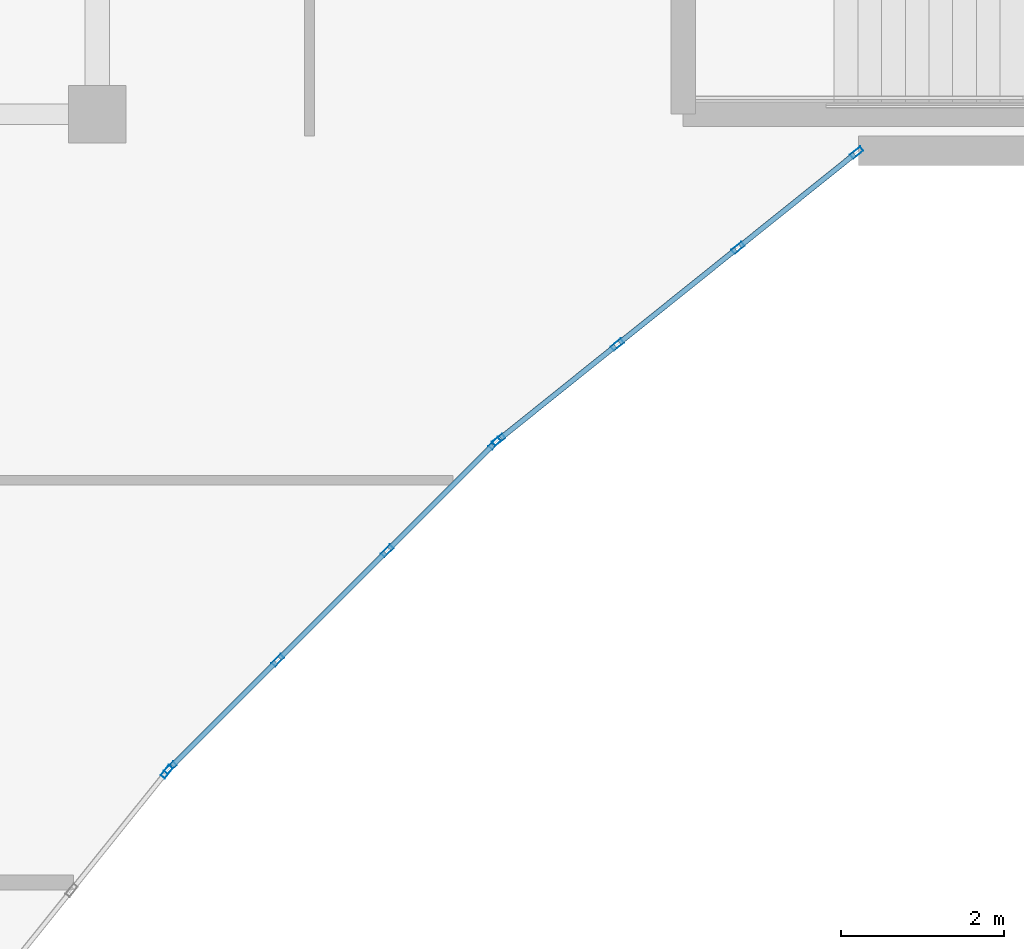
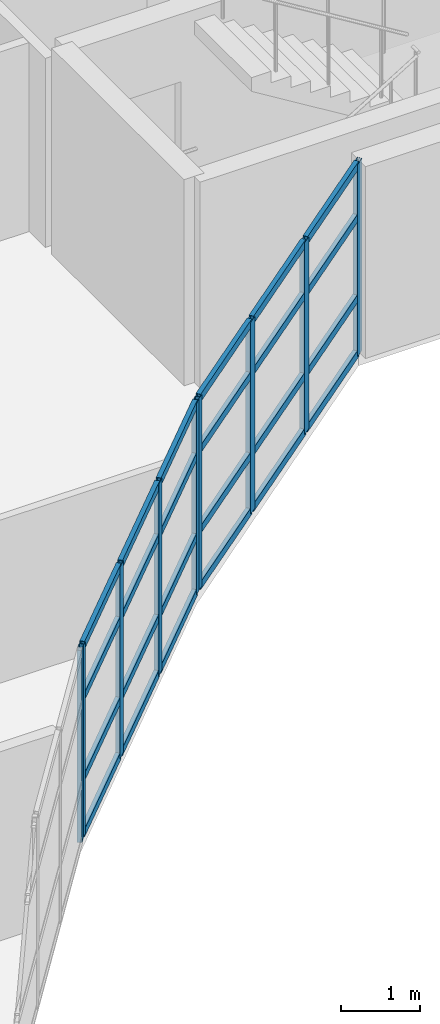
# One storey, part 56 of 128: 33 members, 3 elements without a shape of their own.
"""IFC4 building model written with IfcOpenShell, lengths in metres."""

from ifc_helpers import new_model, si_unit, direction, frame, origin, origin_2d, place, context, subcontext, project, spatial, hollow_rectangle, extrude, material, layer, layer_set, material_profile, profile_set, type_object, element, aggregate, save


model = new_model("IFC4")

# Units and contexts
model_context = context("Model", 3, precision=1e-05, world=origin(), true_north=direction((0.0, 1.0)))
body_context = subcontext(model_context, "Body", "Model", "MODEL_VIEW")
ifc_project = project(units=[si_unit("LENGTHUNIT", "METRE"), si_unit("AREAUNIT", "SQUARE_METRE"), si_unit("VOLUMEUNIT", "CUBIC_METRE"), si_unit("PLANEANGLEUNIT", "RADIAN"), si_unit("MASSUNIT", "GRAM", prefix="KILO")], contexts=[model_context])

# Site, building, storey
site_placement = place(None, origin())
site = spatial("IfcSite", under=ifc_project, at=site_placement, CompositionType="ELEMENT")
building_placement = place(site_placement, origin())
building = spatial("IfcBuilding", under=site, at=building_placement, Name="Keldmere Railside Commons", CompositionType="ELEMENT")
storey_placement = place(building_placement, frame((0.0, 0.0, 4.159912109375)))
storey = spatial("IfcBuildingStorey", under=building, at=storey_placement, Name="L01", CompositionType="ELEMENT", Elevation=4.159912109375)

# Curtain wall, member
ifc_material = material(Name="Thermally Broken Aluminium", Category="aluminium")
ifc_layer_1 = layer(ifc_material, 0.159912109375, Name="Court Chord Wintergarden CW 4800x2850")
ifc_layer_set_1 = layer_set([ifc_layer_1], Name="Thermally Broken Aluminium")
curtain_wall_type_1 = type_object("IfcCurtainWallType", Name="Court Chord Wintergarden CW 4800x2850", PredefinedType="NOTDEFINED", material=ifc_layer_set_1)
curtain_wall_1_placement = place(storey_placement, origin())
curtain_wall_1 = element("IfcCurtainWall", 1, at=curtain_wall_1_placement, inside=storey, type_object=curtain_wall_type_1, Name="CW-12 CW-L01-091", PredefinedType="NOTDEFINED")
ifc_material_profile_1 = material_profile(ifc_material, hollow_rectangle(XDim=0.06494140625, YDim=0.159912109375, WallThickness=0.00390625, at=origin_2d()), Name="ALU-MULL-65x160")
ifc_profile_set_1 = profile_set([ifc_material_profile_1], Name="Thermally Broken Aluminium")
member_type_1 = type_object("IfcMemberType", Name="Unitised Curtain Wall Mullion 65x160", PredefinedType="MULLION", material=ifc_profile_set_1)
member_1_placement = place(storey_placement, frame((123.53369140625, 92.404541015625, 0.0), z_axis=(0.0, 0.0, 1.0), x_axis=(0.780009172323, -0.625768080915, 0.0)))
member_1 = element("IfcMember", 2, at=member_1_placement, type_object=member_type_1, Name="CW-12 mullion 1", PredefinedType="MULLION", context=body_context, shape_type="SweptSolid", body=[
    extrude(hollow_rectangle(XDim=0.06494140625, YDim=0.159912109375, WallThickness=0.00390625, at=origin_2d()), origin(), (0.0, 0.0, 1.0), 2.97998046875),
])
aggregate(curtain_wall_1, [member_1])

# Curtain wall, members
ifc_layer_2 = layer(ifc_material, 0.159912109375, Name="Court Chord Wintergarden CW 5400x2850")
ifc_layer_set_2 = layer_set([ifc_layer_2], Name="Thermally Broken Aluminium")
curtain_wall_type_2 = type_object("IfcCurtainWallType", Name="Court Chord Wintergarden CW 5400x2850", PredefinedType="NOTDEFINED", material=ifc_layer_set_2)
curtain_wall_2_placement = place(storey_placement, origin())
curtain_wall_2 = element("IfcCurtainWall", 3, at=curtain_wall_2_placement, inside=storey, type_object=curtain_wall_type_2, Name="CW-13 CW-L01-092", PredefinedType="NOTDEFINED")
member_2_placement = place(storey_placement, frame((127.547119140625, 96.423095703125, 0.0), z_axis=(0.0, 0.0, 1.0), x_axis=(0.707106781187, -0.707106781187, 0.0)))
member_2 = element("IfcMember", 4, at=member_2_placement, type_object=member_type_1, Name="CW-13 mullion 1", PredefinedType="MULLION", context=body_context, shape_type="SweptSolid", body=[
    extrude(hollow_rectangle(XDim=0.06494140625, YDim=0.159912109375, WallThickness=0.00390625, at=origin_2d()), origin(), (0.0, 0.0, 1.0), 2.97998046875),
])
member_3_placement = place(storey_placement, frame((126.2314453125, 95.107421875, 0.0), z_axis=(0.0, 0.0, 1.0), x_axis=(0.707106781187, -0.707106781187, 0.0)))
member_3 = element("IfcMember", 5, at=member_3_placement, type_object=member_type_1, Name="CW-13 mullion 2", PredefinedType="MULLION", context=body_context, shape_type="SweptSolid", body=[
    extrude(hollow_rectangle(XDim=0.06494140625, YDim=0.159912109375, WallThickness=0.00390625, at=origin_2d()), origin(), (0.0, 0.0, 1.0), 2.97998046875),
])
member_4_placement = place(storey_placement, frame((124.892578125, 93.7685546875, 0.0), z_axis=(0.0, 0.0, 1.0), x_axis=(0.707106781187, -0.707106781187, 0.0)))
member_4 = element("IfcMember", 6, at=member_4_placement, type_object=member_type_1, Name="CW-13 mullion 3", PredefinedType="MULLION", context=body_context, shape_type="SweptSolid", body=[
    extrude(hollow_rectangle(XDim=0.06494140625, YDim=0.159912109375, WallThickness=0.00390625, at=origin_2d()), origin(), (0.0, 0.0, 1.0), 2.97998046875),
])
member_5_placement = place(storey_placement, frame((123.576904296875, 92.452880859375, 0.0), z_axis=(0.0, 0.0, 1.0), x_axis=(0.707106781187, -0.707106781187, 0.0)))
member_5 = element("IfcMember", 7, at=member_5_placement, type_object=member_type_1, Name="CW-13 mullion 4", PredefinedType="MULLION", context=body_context, shape_type="SweptSolid", body=[
    extrude(hollow_rectangle(XDim=0.06494140625, YDim=0.159912109375, WallThickness=0.00390625, at=origin_2d()), origin(), (0.0, 0.0, 1.0), 2.97998046875),
])

curtain_wall_3_placement = place(storey_placement, origin())
curtain_wall_3 = element("IfcCurtainWall", 8, at=curtain_wall_3_placement, inside=storey, type_object=curtain_wall_type_1, Name="CW-12 CW-L01-093", PredefinedType="NOTDEFINED")
member_6_placement = place(storey_placement, frame((131.974609375, 99.979736328125, 0.0), z_axis=(0.0, 0.0, 1.0), x_axis=(0.625768080915, -0.780009172323, 0.0)))
member_6 = element("IfcMember", 9, at=member_6_placement, type_object=member_type_1, Name="CW-12 mullion 1", PredefinedType="MULLION", context=body_context, shape_type="SweptSolid", body=[
    extrude(hollow_rectangle(XDim=0.06494140625, YDim=0.159912109375, WallThickness=0.00390625, at=origin_2d()), origin(), (0.0, 0.0, 1.0), 2.97998046875),
])
member_7_placement = place(storey_placement, frame((130.5234375, 98.8154296875, 0.0), z_axis=(0.0, 0.0, 1.0), x_axis=(0.625768080915, -0.780009172323, 0.0)))
member_7 = element("IfcMember", 10, at=member_7_placement, type_object=member_type_1, Name="CW-12 mullion 2", PredefinedType="MULLION", context=body_context, shape_type="SweptSolid", body=[
    extrude(hollow_rectangle(XDim=0.06494140625, YDim=0.159912109375, WallThickness=0.00390625, at=origin_2d()), origin(), (0.0, 0.0, 1.0), 2.97998046875),
])
member_8_placement = place(storey_placement, frame((129.046630859375, 97.630615234375, 0.0), z_axis=(0.0, 0.0, 1.0), x_axis=(0.625768080915, -0.780009172323, 0.0)))
member_8 = element("IfcMember", 11, at=member_8_placement, type_object=member_type_1, Name="CW-12 mullion 3", PredefinedType="MULLION", context=body_context, shape_type="SweptSolid", body=[
    extrude(hollow_rectangle(XDim=0.06494140625, YDim=0.159912109375, WallThickness=0.00390625, at=origin_2d()), origin(), (0.0, 0.0, 1.0), 2.97998046875),
])
member_9_placement = place(storey_placement, frame((127.595458984375, 96.46630859375, 0.0), z_axis=(0.0, 0.0, 1.0), x_axis=(0.625768080915, -0.780009172323, 0.0)))
member_9 = element("IfcMember", 12, at=member_9_placement, type_object=member_type_1, Name="CW-12 mullion 4", PredefinedType="MULLION", context=body_context, shape_type="SweptSolid", body=[
    extrude(hollow_rectangle(XDim=0.06494140625, YDim=0.159912109375, WallThickness=0.00390625, at=origin_2d()), origin(), (0.0, 0.0, 1.0), 2.97998046875),
])

# Member
ifc_material_profile_2 = material_profile(ifc_material, hollow_rectangle(XDim=0.06494140625, YDim=0.1201171875, WallThickness=0.00390625, at=origin_2d()), Name="ALU-TRAN-65x120")
ifc_profile_set_2 = profile_set([ifc_material_profile_2], Name="Thermally Broken Aluminium")
member_type_2 = type_object("IfcMemberType", Name="Unitised Curtain Wall Transom 65x120", PredefinedType="USERDEFINED", material=ifc_profile_set_2)
member_10_placement = place(storey_placement, frame((127.52392578125, 96.400146484375, 0.032470703125), z_axis=(-0.707038793419, -0.707174762418, 0.0), x_axis=(0.707174762418, -0.707038793419, 0.0)))
member_10 = element("IfcMember", 13, at=member_10_placement, type_object=member_type_2, Name="CW-13 transom 1.1", ObjectType="TRANSOM", PredefinedType="USERDEFINED", context=body_context, shape_type="SweptSolid", body=[
    extrude(hollow_rectangle(XDim=0.06494140625, YDim=0.1201171875, WallThickness=0.00390625, at=origin_2d()), origin(), (0.0, 0.0, 1.0), 1.795654296875),
])

member_11_placement = place(storey_placement, frame((127.52392578125, 96.400146484375, 0.900146484375), z_axis=(-0.707038793419, -0.707174762418, 0.0), x_axis=(0.707174762418, -0.707038793419, 0.0)))
member_11 = element("IfcMember", 14, at=member_11_placement, type_object=member_type_2, Name="CW-13 transom 1.2", ObjectType="TRANSOM", PredefinedType="USERDEFINED", context=body_context, shape_type="SweptSolid", body=[
    extrude(hollow_rectangle(XDim=0.06494140625, YDim=0.1201171875, WallThickness=0.00390625, at=origin_2d()), origin(), (0.0, 0.0, 1.0), 1.795654296875),
])

member_12_placement = place(storey_placement, frame((127.52392578125, 96.400146484375, 2.150146484375), z_axis=(-0.707038793419, -0.707174762418, 0.0), x_axis=(0.707174762418, -0.707038793419, 0.0)))
member_12 = element("IfcMember", 15, at=member_12_placement, type_object=member_type_2, Name="CW-13 transom 1.3", ObjectType="TRANSOM", PredefinedType="USERDEFINED", context=body_context, shape_type="SweptSolid", body=[
    extrude(hollow_rectangle(XDim=0.06494140625, YDim=0.1201171875, WallThickness=0.00390625, at=origin_2d()), origin(), (0.0, 0.0, 1.0), 1.795654296875),
])

member_13_placement = place(storey_placement, frame((127.52392578125, 96.400146484375, 2.947509765625), z_axis=(-0.707038793419, -0.707174762418, 0.0), x_axis=(0.707174762418, -0.707038793419, 0.0)))
member_13 = element("IfcMember", 16, at=member_13_placement, type_object=member_type_2, Name="CW-13 transom 1.4", ObjectType="TRANSOM", PredefinedType="USERDEFINED", context=body_context, shape_type="SweptSolid", body=[
    extrude(hollow_rectangle(XDim=0.06494140625, YDim=0.1201171875, WallThickness=0.00390625, at=origin_2d()), origin(), (0.0, 0.0, 1.0), 1.795654296875),
])

member_14_placement = place(storey_placement, frame((126.208251953125, 95.08447265625, 0.032470703125), z_axis=(-0.707106781187, -0.707106781187, 0.0), x_axis=(0.707106781187, -0.707106781187, 0.0)))
member_14 = element("IfcMember", 17, at=member_14_placement, type_object=member_type_2, Name="CW-13 transom 2.1", ObjectType="TRANSOM", PredefinedType="USERDEFINED", context=body_context, shape_type="SweptSolid", body=[
    extrude(hollow_rectangle(XDim=0.06494140625, YDim=0.1201171875, WallThickness=0.00390625, at=origin_2d()), origin(), (0.0, 0.0, 1.0), 1.828125),
])

member_15_placement = place(storey_placement, frame((126.208251953125, 95.08447265625, 0.900146484375), z_axis=(-0.707106781187, -0.707106781187, 0.0), x_axis=(0.707106781187, -0.707106781187, 0.0)))
member_15 = element("IfcMember", 18, at=member_15_placement, type_object=member_type_2, Name="CW-13 transom 2.2", ObjectType="TRANSOM", PredefinedType="USERDEFINED", context=body_context, shape_type="SweptSolid", body=[
    extrude(hollow_rectangle(XDim=0.06494140625, YDim=0.1201171875, WallThickness=0.00390625, at=origin_2d()), origin(), (0.0, 0.0, 1.0), 1.828125),
])

member_16_placement = place(storey_placement, frame((126.208251953125, 95.08447265625, 2.150146484375), z_axis=(-0.707106781187, -0.707106781187, 0.0), x_axis=(0.707106781187, -0.707106781187, 0.0)))
member_16 = element("IfcMember", 19, at=member_16_placement, type_object=member_type_2, Name="CW-13 transom 2.3", ObjectType="TRANSOM", PredefinedType="USERDEFINED", context=body_context, shape_type="SweptSolid", body=[
    extrude(hollow_rectangle(XDim=0.06494140625, YDim=0.1201171875, WallThickness=0.00390625, at=origin_2d()), origin(), (0.0, 0.0, 1.0), 1.828125),
])

member_17_placement = place(storey_placement, frame((126.208251953125, 95.08447265625, 2.947509765625), z_axis=(-0.707106781187, -0.707106781187, 0.0), x_axis=(0.707106781187, -0.707106781187, 0.0)))
member_17 = element("IfcMember", 20, at=member_17_placement, type_object=member_type_2, Name="CW-13 transom 2.4", ObjectType="TRANSOM", PredefinedType="USERDEFINED", context=body_context, shape_type="SweptSolid", body=[
    extrude(hollow_rectangle(XDim=0.06494140625, YDim=0.1201171875, WallThickness=0.00390625, at=origin_2d()), origin(), (0.0, 0.0, 1.0), 1.828125),
])

member_18_placement = place(storey_placement, frame((124.86962890625, 93.74560546875, 0.032470703125), z_axis=(-0.707174762418, -0.707038793419, 0.0), x_axis=(0.707038793419, -0.707174762418, 0.0)))
member_18 = element("IfcMember", 21, at=member_18_placement, type_object=member_type_2, Name="CW-13 transom 3.1", ObjectType="TRANSOM", PredefinedType="USERDEFINED", context=body_context, shape_type="SweptSolid", body=[
    extrude(hollow_rectangle(XDim=0.06494140625, YDim=0.1201171875, WallThickness=0.00390625, at=origin_2d()), origin(), (0.0, 0.0, 1.0), 1.795654296875),
])

member_19_placement = place(storey_placement, frame((124.86962890625, 93.74560546875, 0.900146484375), z_axis=(-0.707174762418, -0.707038793419, 0.0), x_axis=(0.707038793419, -0.707174762418, 0.0)))
member_19 = element("IfcMember", 22, at=member_19_placement, type_object=member_type_2, Name="CW-13 transom 3.2", ObjectType="TRANSOM", PredefinedType="USERDEFINED", context=body_context, shape_type="SweptSolid", body=[
    extrude(hollow_rectangle(XDim=0.06494140625, YDim=0.1201171875, WallThickness=0.00390625, at=origin_2d()), origin(), (0.0, 0.0, 1.0), 1.795654296875),
])

member_20_placement = place(storey_placement, frame((124.86962890625, 93.74560546875, 2.150146484375), z_axis=(-0.707174762418, -0.707038793419, 0.0), x_axis=(0.707038793419, -0.707174762418, 0.0)))
member_20 = element("IfcMember", 23, at=member_20_placement, type_object=member_type_2, Name="CW-13 transom 3.3", ObjectType="TRANSOM", PredefinedType="USERDEFINED", context=body_context, shape_type="SweptSolid", body=[
    extrude(hollow_rectangle(XDim=0.06494140625, YDim=0.1201171875, WallThickness=0.00390625, at=origin_2d()), origin(), (0.0, 0.0, 1.0), 1.795654296875),
])

member_21_placement = place(storey_placement, frame((124.86962890625, 93.74560546875, 2.947509765625), z_axis=(-0.707174762418, -0.707038793419, 0.0), x_axis=(0.707038793419, -0.707174762418, 0.0)))
member_21 = element("IfcMember", 24, at=member_21_placement, type_object=member_type_2, Name="CW-13 transom 3.4", ObjectType="TRANSOM", PredefinedType="USERDEFINED", context=body_context, shape_type="SweptSolid", body=[
    extrude(hollow_rectangle(XDim=0.06494140625, YDim=0.1201171875, WallThickness=0.00390625, at=origin_2d()), origin(), (0.0, 0.0, 1.0), 1.795654296875),
])

aggregate(curtain_wall_2, [member_2, member_3, member_4, member_5, member_10, member_11, member_12, member_13, member_14, member_15, member_16, member_17, member_18, member_19, member_20, member_21])

member_22_placement = place(storey_placement, frame((131.94921875, 99.959228515625, 0.032470703125), z_axis=(-0.780045694992, -0.625722553313, 0.0), x_axis=(0.625722553313, -0.780045694992, 0.0)))
member_22 = element("IfcMember", 25, at=member_22_placement, type_object=member_type_2, Name="CW-12 transom 1.1", ObjectType="TRANSOM", PredefinedType="USERDEFINED", context=body_context, shape_type="SweptSolid", body=[
    extrude(hollow_rectangle(XDim=0.06494140625, YDim=0.1201171875, WallThickness=0.00390625, at=origin_2d()), origin(), (0.0, 0.0, 1.0), 1.795654296875),
])

member_23_placement = place(storey_placement, frame((131.94921875, 99.959228515625, 0.900146484375), z_axis=(-0.780045694992, -0.625722553313, 0.0), x_axis=(0.625722553313, -0.780045694992, 0.0)))
member_23 = element("IfcMember", 26, at=member_23_placement, type_object=member_type_2, Name="CW-12 transom 1.2", ObjectType="TRANSOM", PredefinedType="USERDEFINED", context=body_context, shape_type="SweptSolid", body=[
    extrude(hollow_rectangle(XDim=0.06494140625, YDim=0.1201171875, WallThickness=0.00390625, at=origin_2d()), origin(), (0.0, 0.0, 1.0), 1.795654296875),
])

member_24_placement = place(storey_placement, frame((131.94921875, 99.959228515625, 2.150146484375), z_axis=(-0.780045694992, -0.625722553313, 0.0), x_axis=(0.625722553313, -0.780045694992, 0.0)))
member_24 = element("IfcMember", 27, at=member_24_placement, type_object=member_type_2, Name="CW-12 transom 1.3", ObjectType="TRANSOM", PredefinedType="USERDEFINED", context=body_context, shape_type="SweptSolid", body=[
    extrude(hollow_rectangle(XDim=0.06494140625, YDim=0.1201171875, WallThickness=0.00390625, at=origin_2d()), origin(), (0.0, 0.0, 1.0), 1.795654296875),
])

member_25_placement = place(storey_placement, frame((131.94921875, 99.959228515625, 2.947509765625), z_axis=(-0.780045694992, -0.625722553313, 0.0), x_axis=(0.625722553313, -0.780045694992, 0.0)))
member_25 = element("IfcMember", 28, at=member_25_placement, type_object=member_type_2, Name="CW-12 transom 1.4", ObjectType="TRANSOM", PredefinedType="USERDEFINED", context=body_context, shape_type="SweptSolid", body=[
    extrude(hollow_rectangle(XDim=0.06494140625, YDim=0.1201171875, WallThickness=0.00390625, at=origin_2d()), origin(), (0.0, 0.0, 1.0), 1.795654296875),
])

member_26_placement = place(storey_placement, frame((130.498046875, 98.794921875, 0.032470703125), z_axis=(-0.78007338409, -0.625688033635, 0.0), x_axis=(0.625688033635, -0.78007338409, 0.0)))
member_26 = element("IfcMember", 29, at=member_26_placement, type_object=member_type_2, Name="CW-12 transom 2.1", ObjectType="TRANSOM", PredefinedType="USERDEFINED", context=body_context, shape_type="SweptSolid", body=[
    extrude(hollow_rectangle(XDim=0.06494140625, YDim=0.1201171875, WallThickness=0.00390625, at=origin_2d()), origin(), (0.0, 0.0, 1.0), 1.828125),
])

member_27_placement = place(storey_placement, frame((130.498046875, 98.794921875, 0.900146484375), z_axis=(-0.78007338409, -0.625688033635, 0.0), x_axis=(0.625688033635, -0.78007338409, 0.0)))
member_27 = element("IfcMember", 30, at=member_27_placement, type_object=member_type_2, Name="CW-12 transom 2.2", ObjectType="TRANSOM", PredefinedType="USERDEFINED", context=body_context, shape_type="SweptSolid", body=[
    extrude(hollow_rectangle(XDim=0.06494140625, YDim=0.1201171875, WallThickness=0.00390625, at=origin_2d()), origin(), (0.0, 0.0, 1.0), 1.828125),
])

member_28_placement = place(storey_placement, frame((130.498046875, 98.794921875, 2.150146484375), z_axis=(-0.78007338409, -0.625688033635, 0.0), x_axis=(0.625688033635, -0.78007338409, 0.0)))
member_28 = element("IfcMember", 31, at=member_28_placement, type_object=member_type_2, Name="CW-12 transom 2.3", ObjectType="TRANSOM", PredefinedType="USERDEFINED", context=body_context, shape_type="SweptSolid", body=[
    extrude(hollow_rectangle(XDim=0.06494140625, YDim=0.1201171875, WallThickness=0.00390625, at=origin_2d()), origin(), (0.0, 0.0, 1.0), 1.828125),
])

member_29_placement = place(storey_placement, frame((130.498046875, 98.794921875, 2.947509765625), z_axis=(-0.78007338409, -0.625688033635, 0.0), x_axis=(0.625688033635, -0.78007338409, 0.0)))
member_29 = element("IfcMember", 32, at=member_29_placement, type_object=member_type_2, Name="CW-12 transom 2.4", ObjectType="TRANSOM", PredefinedType="USERDEFINED", context=body_context, shape_type="SweptSolid", body=[
    extrude(hollow_rectangle(XDim=0.06494140625, YDim=0.1201171875, WallThickness=0.00390625, at=origin_2d()), origin(), (0.0, 0.0, 1.0), 1.828125),
])

member_30_placement = place(storey_placement, frame((129.021240234375, 97.6103515625, 0.032470703125), z_axis=(-0.779979331565, -0.625805275091, 0.0), x_axis=(0.625805275091, -0.779979331565, 0.0)))
member_30 = element("IfcMember", 33, at=member_30_placement, type_object=member_type_2, Name="CW-12 transom 3.1", ObjectType="TRANSOM", PredefinedType="USERDEFINED", context=body_context, shape_type="SweptSolid", body=[
    extrude(hollow_rectangle(XDim=0.06494140625, YDim=0.1201171875, WallThickness=0.00390625, at=origin_2d()), origin(), (0.0, 0.0, 1.0), 1.795654296875),
])

member_31_placement = place(storey_placement, frame((129.021240234375, 97.6103515625, 0.900146484375), z_axis=(-0.779979331565, -0.625805275091, 0.0), x_axis=(0.625805275091, -0.779979331565, 0.0)))
member_31 = element("IfcMember", 34, at=member_31_placement, type_object=member_type_2, Name="CW-12 transom 3.2", ObjectType="TRANSOM", PredefinedType="USERDEFINED", context=body_context, shape_type="SweptSolid", body=[
    extrude(hollow_rectangle(XDim=0.06494140625, YDim=0.1201171875, WallThickness=0.00390625, at=origin_2d()), origin(), (0.0, 0.0, 1.0), 1.795654296875),
])

member_32_placement = place(storey_placement, frame((129.021240234375, 97.6103515625, 2.150146484375), z_axis=(-0.779979331565, -0.625805275091, 0.0), x_axis=(0.625805275091, -0.779979331565, 0.0)))
member_32 = element("IfcMember", 35, at=member_32_placement, type_object=member_type_2, Name="CW-12 transom 3.3", ObjectType="TRANSOM", PredefinedType="USERDEFINED", context=body_context, shape_type="SweptSolid", body=[
    extrude(hollow_rectangle(XDim=0.06494140625, YDim=0.1201171875, WallThickness=0.00390625, at=origin_2d()), origin(), (0.0, 0.0, 1.0), 1.795654296875),
])

member_33_placement = place(storey_placement, frame((129.021240234375, 97.6103515625, 2.947509765625), z_axis=(-0.779979331565, -0.625805275091, 0.0), x_axis=(0.625805275091, -0.779979331565, 0.0)))
member_33 = element("IfcMember", 36, at=member_33_placement, type_object=member_type_2, Name="CW-12 transom 3.4", ObjectType="TRANSOM", PredefinedType="USERDEFINED", context=body_context, shape_type="SweptSolid", body=[
    extrude(hollow_rectangle(XDim=0.06494140625, YDim=0.1201171875, WallThickness=0.00390625, at=origin_2d()), origin(), (0.0, 0.0, 1.0), 1.795654296875),
])

aggregate(curtain_wall_3, [member_6, member_7, member_8, member_9, member_22, member_23, member_24, member_25, member_26, member_27, member_28, member_29, member_30, member_31, member_32, member_33])

save(model, "model.ifc")
